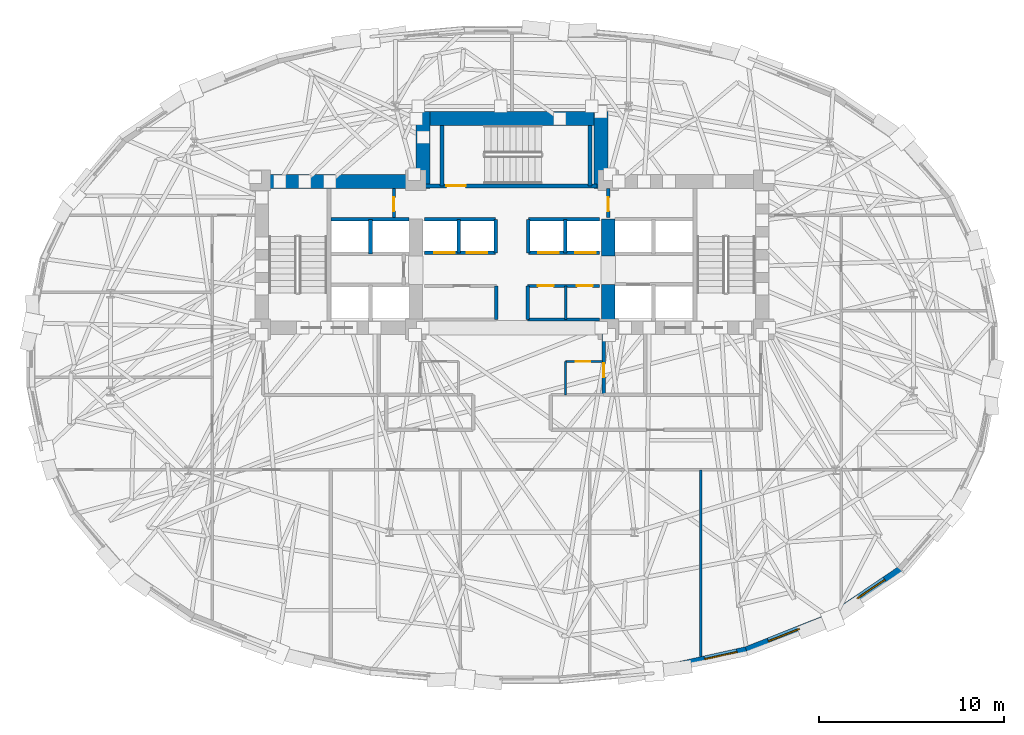
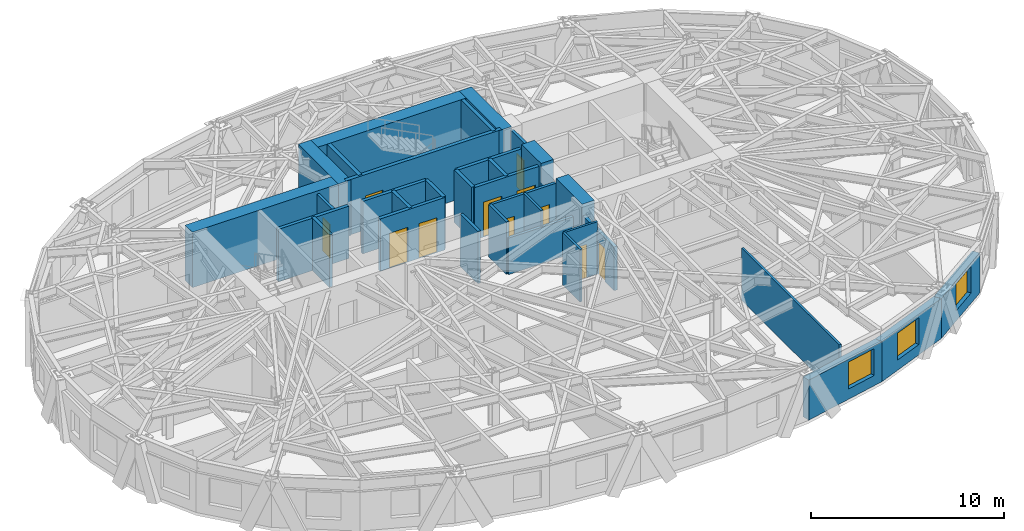
# One storey, part 8 of 14: 33 walls, 11 doors, 3 windows, 14 openings.
"""IFC4 building model written with IfcOpenShell, lengths in metres."""

from ifc_helpers import new_model, si_unit, direction, frame, frame_2d, origin, place, context, subcontext, project, spatial, rectangle, extrude, material, layer, layer_set, type_object, element, fill, save


model = new_model("IFC4")

# Units and contexts
model_context = context("Model", 3, precision=1e-05, world=origin(), true_north=direction((0.0, 1.0)))
body_context = subcontext(model_context, "Body", "Model", "MODEL_VIEW")
ifc_project = project(units=[si_unit("LENGTHUNIT", "METRE"), si_unit("AREAUNIT", "SQUARE_METRE"), si_unit("VOLUMEUNIT", "CUBIC_METRE"), si_unit("PLANEANGLEUNIT", "RADIAN"), si_unit("MASSUNIT", "GRAM", prefix="KILO")], contexts=[model_context])

# Site, building, storey
site_placement = place(None, origin())
site = spatial("IfcSite", under=ifc_project, at=site_placement, CompositionType="ELEMENT")
building_placement = place(site_placement, origin())
building = spatial("IfcBuilding", under=site, at=building_placement, Name="Keldmark Tower", CompositionType="ELEMENT")
storey_placement = place(building_placement, frame((0.0, 0.0, 121.10009765625)))
storey = spatial("IfcBuildingStorey", under=building, at=storey_placement, Name="L32", CompositionType="ELEMENT", Elevation=121.10009765625)

# Wall, opening, door
ifc_material_1 = material(Name="Acoustic Gypsum Board Interior Partition", Category="gypsum")
ifc_layer_1 = layer(ifc_material_1, 0.1298828125)
ifc_layer_set_1 = layer_set([ifc_layer_1], Name="Acoustic Gypsum Board Interior Partition")
wall_type_1 = type_object("IfcWallType", Name="Interior Partition 130 mm", PredefinedType="PARTITIONING", material=ifc_layer_set_1)
wall_1_placement = place(storey_placement, frame((2.889892578125, -0.35009765625, 0.0), z_axis=(0.0, 0.0, 1.0), x_axis=(1.0, 0.0, 0.0)))
wall_1 = element("IfcWall", 1, at=wall_1_placement, inside=storey, type_object=wall_type_1, Name="L32 Interior Partition 130 mm CSC-E-N", PredefinedType="PARTITIONING", context=body_context, shape_type="SweptSolid", body=[
    extrude(rectangle(XDim=1.989990234375, YDim=0.1298828125, at=frame_2d((0.9951171875, 0.0))), origin(), (0.0, 0.0, 1.0), 3.309814453125),
])
opening_1_placement = place(wall_1_placement, frame((0.550048828125, 0.0, 0.0)))
opening_1 = element("IfcOpeningElement", 2, at=opening_1_placement, cuts=wall_1, Name="Opening D-CL078", PredefinedType="OPENING", context=body_context, shape_type="SweptSolid", body=[
    extrude(rectangle(XDim=0.780029296875, YDim=2.10009765625, at=frame_2d((0.39013671875, 1.050048828125))), frame((0.0, 0.074951171875, 0.0), z_axis=(0.0, -1.0, 0.0), x_axis=(1.0, 0.0, 0.0)), (0.0, 0.0, 1.0), 0.14990234375),
])
ifc_material_2 = material(Name="Flush Utility Closet Timber Door", Category="wood")
door_type_1 = type_object("IfcDoorType", Name="Closet Door 780x2100", OperationType="NOTDEFINED", PredefinedType="DOOR", material=ifc_material_2)
door_1_placement = place(opening_1_placement, origin())
door_1 = element("IfcDoor", 3, at=door_1_placement, inside=storey, type_object=door_type_1, Name="L32 Closet Door 780x2100 D-CSCE1-L32", OperationType="SINGLE_SWING_RIGHT", OverallHeight=2.10009765625, OverallWidth=0.780029296875, PredefinedType="DOOR", context=body_context, shape_type="SweptSolid", body=[
    extrude(rectangle(XDim=0.780029296875, YDim=2.10009765625, at=frame_2d((0.39013671875, 1.050048828125))), frame((0.0, 0.02490234375, 0.0), z_axis=(0.0, -1.0, 0.0), x_axis=(1.0, 0.0, 0.0)), (0.0, 0.0, 1.0), 0.050048828125),
])
fill(opening_1, door_1)

# Walls
wall_2_placement = place(storey_placement, frame((2.889892578125, -2.14990234375, 0.0), z_axis=(0.0, 0.0, 1.0), x_axis=(0.0, 1.0, 0.0)))
element("IfcWall", 4, at=wall_2_placement, inside=storey, type_object=wall_type_1, Name="L32 Interior Partition 130 mm CSC-E-W", PredefinedType="PARTITIONING", context=body_context, shape_type="SweptSolid", body=[
    extrude(rectangle(XDim=1.7998046875, YDim=0.1298828125, at=frame_2d((0.89990234375, 0.0))), origin(), (0.0, 0.0, 1.0), 3.309814453125),
])
wall_3_placement = place(storey_placement, frame((2.89990234375, 1.919921875, 0.0), z_axis=(0.0, 0.0, 1.0), x_axis=(0.0, 1.0, 0.0)))
element("IfcWall", 5, at=wall_3_placement, inside=storey, type_object=wall_type_1, Name="L32 Interior Partition 130 mm REC-LE-M", PredefinedType="PARTITIONING", context=body_context, shape_type="SweptSolid", body=[
    extrude(rectangle(XDim=1.820068359375, YDim=0.1298828125, at=frame_2d((0.91015625, 0.0))), origin(), (0.0, 0.0, 1.0), 3.309814453125),
])
wall_4_placement = place(storey_placement, frame((10.199951171875, -16.291015625, 0.0), z_axis=(0.0, 0.0, 1.0), x_axis=(0.0, 1.0, 0.0)))
element("IfcWall", 6, at=wall_4_placement, inside=storey, type_object=wall_type_1, Name="L32 Interior Partition 130 mm S-DIV-4", PredefinedType="PARTITIONING", context=body_context, shape_type="SweptSolid", body=[
    extrude(rectangle(XDim=10.091064453125, YDim=0.1298828125, at=frame_2d((5.04541015625, 0.0))), origin(), (0.0, 0.0, 1.0), 3.309814453125),
])
ifc_material_3 = material(Name="Concrete C70/85", Category="concrete")
ifc_layer_2 = layer(ifc_material_3, 0.75)
ifc_layer_set_2 = layer_set([ifc_layer_2], Name="Concrete C70/85")
wall_type_2 = type_object("IfcWallType", Name="Low-Mid Core Shear Wall 750 mm", PredefinedType="SHEAR", material=ifc_layer_set_2)
wall_5_placement = place(storey_placement, frame((-13.89990234375, 9.375, 0.0), z_axis=(0.0, 0.0, 1.0), x_axis=(1.0, 0.0, 0.0)))
element("IfcWall", 7, at=wall_5_placement, inside=storey, type_object=wall_type_2, Name="L32 West Core North Shear Wall", PredefinedType="SHEAR", context=body_context, shape_type="SweptSolid", body=[
    extrude(rectangle(XDim=9.474853515625, YDim=0.75, at=frame_2d((4.7373046875, 0.0))), origin(), (0.0, 0.0, 1.0), 3.5),
])
wall_6_placement = place(storey_placement, frame((5.199951171875, 1.10009765625, 0.0), z_axis=(0.0, 0.0, 1.0), x_axis=(0.0, 1.0, 0.0)))
element("IfcWall", 8, at=wall_6_placement, inside=storey, type_object=wall_type_2, Name="L32 East Core Inner Shear Pier South", PredefinedType="SHEAR", context=body_context, shape_type="SweptSolid", body=[
    extrude(rectangle(XDim=2.699951171875, YDim=0.75, at=frame_2d((1.35009765625, 0.0))), origin(), (0.0, 0.0, 1.0), 3.5),
])
wall_7_placement = place(storey_placement, frame((5.199951171875, 5.35009765625, 0.0), z_axis=(0.0, 0.0, 1.0), x_axis=(0.0, 1.0, 0.0)))
element("IfcWall", 9, at=wall_7_placement, inside=storey, type_object=wall_type_2, Name="L32 East Core Inner Shear Pier North", PredefinedType="SHEAR", context=body_context, shape_type="SweptSolid", body=[
    extrude(rectangle(XDim=2.0, YDim=0.75, at=frame_2d((1.0, 0.0))), origin(), (0.0, 0.0, 1.0), 3.5),
])
wall_8_placement = place(storey_placement, frame((-5.175048828125, 12.77490234375, 0.0), z_axis=(0.0, 0.0, 1.0), x_axis=(1.0, 0.0, 0.0)))
element("IfcWall", 10, at=wall_8_placement, inside=storey, type_object=wall_type_2, Name="L32 North Core Shear Wall", PredefinedType="SHEAR", context=body_context, shape_type="SweptSolid", body=[
    extrude(rectangle(XDim=10.35009765625, YDim=0.75, at=frame_2d((5.175048828125, 0.0))), origin(), (0.0, 0.0, 1.0), 3.5),
])
for number, where, z_axis, x_axis, name in (
    (11, (-4.800048828125, 9.0, 0.0), (0.0, 0.0, 1.0), (0.0, 1.0, 0.0), "L32 North Core West Shear Wall"),
    (12, (4.800048828125, 9.0, 0.0), (0.0, 0.0, 1.0), (0.0, 1.0, 0.0), "L32 North Core East Shear Wall"),
):
    element("IfcWall", number, at=place(storey_placement, frame(where, z_axis=z_axis, x_axis=x_axis)), inside=storey, type_object=wall_type_2, Name=name, PredefinedType="SHEAR", context=body_context, shape_type="SweptSolid", body=[
        extrude(rectangle(XDim=4.14990234375, YDim=0.75, at=frame_2d((2.074951171875, 0.0))), origin(), (0.0, 0.0, 1.0), 3.5),
    ])
ifc_material_4 = material(Name="Type X Fire-Rated Gypsum Partition Assembly", Category="gypsum")
ifc_layer_3 = layer(ifc_material_4, 0.1650390625)
ifc_layer_set_3 = layer_set([ifc_layer_3], Name="Type X Fire-Rated Gypsum Partition Assembly")
wall_type_3 = type_object("IfcWallType", Name="Rated Partition 165 mm", PredefinedType="PARTITIONING", material=ifc_layer_set_3)
wall_9_placement = place(storey_placement, frame((-0.85009765625, 1.919921875, 0.0), z_axis=(0.0, 0.0, 1.0), x_axis=(0.0, 1.0, 0.0)))
element("IfcWall", 13, at=wall_9_placement, inside=storey, type_object=wall_type_3, Name="L32 Rated Partition 165 mm REC-LW-E", PredefinedType="PARTITIONING", context=body_context, shape_type="SweptSolid", body=[
    extrude(rectangle(XDim=1.820068359375, YDim=0.1650390625, at=frame_2d((0.91015625, 0.0))), origin(), (0.0, 0.0, 1.0), 3.309814453125),
])
wall_10_placement = place(storey_placement, frame((0.85009765625, 1.919921875, 0.0), z_axis=(0.0, 0.0, 1.0), x_axis=(1.0, 0.0, 0.0)))
element("IfcWall", 14, at=wall_10_placement, inside=storey, type_object=wall_type_3, Name="L32 Rated Partition 165 mm REC-LE-S", PredefinedType="PARTITIONING", context=body_context, shape_type="SweptSolid", body=[
    extrude(rectangle(XDim=3.889892578125, YDim=0.1650390625, at=frame_2d((1.94482421875, 0.0))), origin(), (0.0, 0.0, 1.0), 2.2998046875),
])

# Wall, openings, doors
wall_11_placement = place(storey_placement, frame((0.85009765625, 3.739990234375, 0.0), z_axis=(0.0, 0.0, 1.0), x_axis=(1.0, 0.0, 0.0)))
wall_11 = element("IfcWall", 15, at=wall_11_placement, inside=storey, type_object=wall_type_3, Name="L32 Rated Partition 165 mm REC-LE-N", PredefinedType="PARTITIONING", context=body_context, shape_type="SweptSolid", body=[
    extrude(rectangle(XDim=3.889892578125, YDim=0.1650390625, at=frame_2d((1.94482421875, 0.0))), origin(), (0.0, 0.0, 1.0), 3.309814453125),
])
opening_2_placement = place(wall_11_placement, frame((0.550048828125, 0.0, 0.0)))
opening_2 = element("IfcOpeningElement", 16, at=opening_2_placement, cuts=wall_11, Name="Opening D-SV085", PredefinedType="OPENING", context=body_context, shape_type="SweptSolid", body=[
    extrude(rectangle(XDim=0.85009765625, YDim=2.10009765625, at=frame_2d((0.425048828125, 1.050048828125))), frame((0.0, 0.092529296875, 0.0), z_axis=(0.0, -1.0, 0.0), x_axis=(1.0, 0.0, 0.0)), (0.0, 0.0, 1.0), 0.18505859375),
])
opening_3_placement = place(wall_11_placement, frame((2.64990234375, 0.0, 0.0)))
opening_3 = element("IfcOpeningElement", 17, at=opening_3_placement, cuts=wall_11, Name="Opening D-SV085", PredefinedType="OPENING", context=body_context, shape_type="SweptSolid", body=[
    extrude(rectangle(XDim=0.85009765625, YDim=2.10009765625, at=frame_2d((0.425048828125, 1.050048828125))), frame((0.0, 0.092529296875, 0.0), z_axis=(0.0, -1.0, 0.0), x_axis=(1.0, 0.0, 0.0)), (0.0, 0.0, 1.0), 0.18505859375),
])
ifc_material_5 = material(Name="Painted Hollow Metal Door Assembly", Category="metal")
door_type_2 = type_object("IfcDoorType", Name="Service Door 850x2100", OperationType="NOTDEFINED", PredefinedType="DOOR", material=ifc_material_5)
door_2_placement = place(opening_2_placement, origin())
door_2 = element("IfcDoor", 18, at=door_2_placement, inside=storey, type_object=door_type_2, Name="L32 Service Door 850x2100 D-RECLE1-L32", OperationType="SINGLE_SWING_LEFT", OverallHeight=2.10009765625, OverallWidth=0.85009765625, PredefinedType="DOOR", context=body_context, shape_type="SweptSolid", body=[
    extrude(rectangle(XDim=0.85009765625, YDim=2.10009765625, at=frame_2d((0.425048828125, 1.050048828125))), frame((0.0, 0.02490234375, 0.0), z_axis=(0.0, -1.0, 0.0), x_axis=(1.0, 0.0, 0.0)), (0.0, 0.0, 1.0), 0.050048828125),
])
fill(opening_2, door_2)
door_3_placement = place(opening_3_placement, origin())
door_3 = element("IfcDoor", 19, at=door_3_placement, inside=storey, type_object=door_type_2, Name="L32 Service Door 850x2100 D-RECLE2-L32", OperationType="SINGLE_SWING_RIGHT", OverallHeight=2.10009765625, OverallWidth=0.85009765625, PredefinedType="DOOR", context=body_context, shape_type="SweptSolid", body=[
    extrude(rectangle(XDim=0.85009765625, YDim=2.10009765625, at=frame_2d((0.425048828125, 1.050048828125))), frame((0.0, 0.02490234375, 0.0), z_axis=(0.0, -1.0, 0.0), x_axis=(1.0, 0.0, 0.0)), (0.0, 0.0, 1.0), 0.050048828125),
])
fill(opening_3, door_3)

# Wall
wall_12_placement = place(storey_placement, frame((0.85009765625, 1.919921875, 0.0), z_axis=(0.0, 0.0, 1.0), x_axis=(0.0, 1.0, 0.0)))
element("IfcWall", 20, at=wall_12_placement, inside=storey, type_object=wall_type_3, Name="L32 Rated Partition 165 mm REC-LE-W", PredefinedType="PARTITIONING", context=body_context, shape_type="SweptSolid", body=[
    extrude(rectangle(XDim=1.820068359375, YDim=0.1650390625, at=frame_2d((0.91015625, 0.0))), origin(), (0.0, 0.0, 1.0), 3.309814453125),
])

# Wall, opening, door
wall_13_placement = place(storey_placement, frame((-6.3798828125, 7.419921875, 0.0), z_axis=(0.0, 0.0, 1.0), x_axis=(0.0, 1.0, 0.0)))
wall_13 = element("IfcWall", 21, at=wall_13_placement, inside=storey, type_object=wall_type_3, Name="L32 Rated Partition 165 mm CS-NW-E", PredefinedType="PARTITIONING", context=body_context, shape_type="SweptSolid", body=[
    extrude(rectangle(XDim=1.580078125, YDim=0.1650390625, at=frame_2d((0.7900390625, 0.0))), origin(), (0.0, 0.0, 1.0), 3.309814453125),
])
opening_4_placement = place(wall_13_placement, frame((0.35009765625, 0.0, 0.0)))
opening_4 = element("IfcOpeningElement", 22, at=opening_4_placement, cuts=wall_13, Name="Opening D-RS075", PredefinedType="OPENING", context=body_context, shape_type="SweptSolid", body=[
    extrude(rectangle(XDim=0.75, YDim=2.10009765625, at=frame_2d((0.375, 1.050048828125))), frame((0.0, 0.092529296875, 0.0), z_axis=(0.0, -1.0, 0.0), x_axis=(1.0, 0.0, 0.0)), (0.0, 0.0, 1.0), 0.18505859375),
])
ifc_material_6 = material(Name="Galvanized Fire-Rated Access Leaf", Category="metal")
door_type_3 = type_object("IfcDoorType", Name="Riser Access Door 750x2100", OperationType="NOTDEFINED", PredefinedType="DOOR", material=ifc_material_6)
door_4_placement = place(opening_4_placement, origin())
door_4 = element("IfcDoor", 23, at=door_4_placement, inside=storey, type_object=door_type_3, Name="L32 Riser Access Door 750x2100 D-CSNW1-L32", OperationType="SINGLE_SWING_RIGHT", OverallHeight=2.10009765625, OverallWidth=0.75, PredefinedType="DOOR", context=body_context, shape_type="SweptSolid", body=[
    extrude(rectangle(XDim=0.75, YDim=2.10009765625, at=frame_2d((0.375, 1.050048828125))), frame((0.0, 0.02490234375, 0.0), z_axis=(0.0, -1.0, 0.0), x_axis=(1.0, 0.0, 0.0)), (0.0, 0.0, 1.0), 0.050048828125),
])
fill(opening_4, door_4)

wall_14_placement = place(storey_placement, frame((5.199951171875, 7.419921875, 0.0), z_axis=(0.0, 0.0, 1.0), x_axis=(0.0, 1.0, 0.0)))
wall_14 = element("IfcWall", 24, at=wall_14_placement, inside=storey, type_object=wall_type_3, Name="L32 Rated Partition 165 mm CS-NE-W", PredefinedType="PARTITIONING", context=body_context, shape_type="SweptSolid", body=[
    extrude(rectangle(XDim=1.580078125, YDim=0.1650390625, at=frame_2d((0.7900390625, 0.0))), origin(), (0.0, 0.0, 1.0), 3.309814453125),
])
opening_5_placement = place(wall_14_placement, frame((0.35009765625, 0.0, 0.0)))
opening_5 = element("IfcOpeningElement", 25, at=opening_5_placement, cuts=wall_14, Name="Opening D-RS075", PredefinedType="OPENING", context=body_context, shape_type="SweptSolid", body=[
    extrude(rectangle(XDim=0.75, YDim=2.10009765625, at=frame_2d((0.375, 1.050048828125))), frame((0.0, 0.092529296875, 0.0), z_axis=(0.0, -1.0, 0.0), x_axis=(1.0, 0.0, 0.0)), (0.0, 0.0, 1.0), 0.18505859375),
])
door_5_placement = place(opening_5_placement, origin())
door_5 = element("IfcDoor", 26, at=door_5_placement, inside=storey, type_object=door_type_3, Name="L32 Riser Access Door 750x2100 D-CSNE1-L32", OperationType="SINGLE_SWING_LEFT", OverallHeight=2.10009765625, OverallWidth=0.75, PredefinedType="DOOR", context=body_context, shape_type="SweptSolid", body=[
    extrude(rectangle(XDim=0.75, YDim=2.10009765625, at=frame_2d((0.375, 1.050048828125))), frame((0.0, 0.02490234375, 0.0), z_axis=(0.0, -1.0, 0.0), x_axis=(1.0, 0.0, 0.0)), (0.0, 0.0, 1.0), 0.050048828125),
])
fill(opening_5, door_5)

ifc_material_7 = material(Name="Fire-Resistant Type X Gypsum Shaftliner Coreboard", Category="gypsum")
ifc_layer_4 = layer(ifc_material_7, 0.199951171875)
ifc_layer_set_4 = layer_set([ifc_layer_4], Name="Fire-Resistant Type X Gypsum Shaftliner Coreboard")
wall_type_4 = type_object("IfcWallType", Name="Shaft Wall 200 mm", PredefinedType="SOLIDWALL", material=ifc_layer_set_4)
wall_15_placement = place(storey_placement, frame((4.949951171875, -2.14990234375, 0.0), z_axis=(0.0, 0.0, 1.0), x_axis=(0.0, 1.0, 0.0)))
wall_15 = element("IfcWall", 27, at=wall_15_placement, inside=storey, type_object=wall_type_4, Name="L32 Shaft Wall 200 mm RIS-SE-W", PredefinedType="SOLIDWALL", context=body_context, shape_type="SweptSolid", body=[
    extrude(rectangle(XDim=3.2998046875, YDim=0.199951171875, at=frame_2d((1.64990234375, 0.0))), origin(), (0.0, 0.0, 1.0), 2.762939453125),
])
opening_6_placement = place(wall_15_placement, frame((0.949951171875, 0.0, 0.0)))
opening_6 = element("IfcOpeningElement", 28, at=opening_6_placement, cuts=wall_15, Name="Opening D-RS075", PredefinedType="OPENING", context=body_context, shape_type="SweptSolid", body=[
    extrude(rectangle(XDim=0.75, YDim=2.10009765625, at=frame_2d((0.375, 1.050048828125))), frame((0.0, 0.10986328125, 0.0), z_axis=(0.0, -1.0, 0.0), x_axis=(1.0, 0.0, 0.0)), (0.0, 0.0, 1.0), 0.219970703125),
])
door_6_placement = place(opening_6_placement, origin())
door_6 = element("IfcDoor", 29, at=door_6_placement, inside=storey, type_object=door_type_3, Name="L32 Riser Access Door 750x2100 D-RISSE-L32", OperationType="SINGLE_SWING_LEFT", OverallHeight=2.10009765625, OverallWidth=0.75, PredefinedType="DOOR", context=body_context, shape_type="SweptSolid", body=[
    extrude(rectangle(XDim=0.75, YDim=2.10009765625, at=frame_2d((0.375, 1.050048828125))), frame((0.0, 0.02490234375, 0.0), z_axis=(0.0, -1.0, 0.0), x_axis=(1.0, 0.0, 0.0)), (0.0, 0.0, 1.0), 0.050048828125),
])
fill(opening_6, door_6)

# Walls
wall_16_placement = place(storey_placement, frame((-9.780029296875, 7.330078125, 0.0), z_axis=(0.0, 0.0, 1.0), x_axis=(1.0, 0.0, 0.0)))
element("IfcWall", 30, at=wall_16_placement, inside=storey, type_object=wall_type_4, Name="L32 Shaft Wall 200 mm HW-W-TOP", PredefinedType="SOLIDWALL", context=body_context, shape_type="SweptSolid", body=[
    extrude(rectangle(XDim=4.205078125, YDim=0.199951171875, at=frame_2d((2.1025390625, 0.0))), origin(), (0.0, 0.0, 1.0), 3.309814453125),
])
wall_17_placement = place(storey_placement, frame((-7.64990234375, 5.469970703125, 0.0), z_axis=(0.0, 0.0, 1.0), x_axis=(0.0, 1.0, 0.0)))
element("IfcWall", 31, at=wall_17_placement, inside=storey, type_object=wall_type_4, Name="L32 Shaft Wall 200 mm HW-W-NM", PredefinedType="SOLIDWALL", context=body_context, shape_type="SweptSolid", body=[
    extrude(rectangle(XDim=1.860107421875, YDim=0.199951171875, at=frame_2d((0.93017578125, 0.0))), origin(), (0.0, 0.0, 1.0), 3.309814453125),
])

# Wall, openings, doors
wall_18_placement = place(storey_placement, frame((-4.739990234375, 5.52001953125, 0.0), z_axis=(0.0, 0.0, 1.0), x_axis=(1.0, 0.0, 0.0)))
wall_18 = element("IfcWall", 32, at=wall_18_placement, inside=storey, type_object=wall_type_4, Name="L32 Shaft Wall 200 mm MID-S-W", PredefinedType="SOLIDWALL", context=body_context, shape_type="SweptSolid", body=[
    extrude(rectangle(XDim=3.860107421875, YDim=0.199951171875, at=frame_2d((1.93017578125, 0.0))), origin(), (0.0, 0.0, 1.0), 3.309814453125),
])
opening_7_placement = place(wall_18_placement, frame((0.550048828125, 0.0, 0.0)))
opening_7 = element("IfcOpeningElement", 33, at=opening_7_placement, cuts=wall_18, Name="Opening LD-110", PredefinedType="OPENING", context=body_context, shape_type="SweptSolid", body=[
    extrude(rectangle(XDim=1.10009765625, YDim=2.199951171875, at=frame_2d((0.550048828125, 1.10009765625))), frame((0.0, 0.10986328125, 0.0), z_axis=(0.0, -1.0, 0.0), x_axis=(1.0, 0.0, 0.0)), (0.0, 0.0, 1.0), 0.219970703125),
])
opening_8_placement = place(wall_18_placement, frame((2.300048828125, 0.0, 0.0)))
opening_8 = element("IfcOpeningElement", 34, at=opening_8_placement, cuts=wall_18, Name="Opening LD-110", PredefinedType="OPENING", context=body_context, shape_type="SweptSolid", body=[
    extrude(rectangle(XDim=1.10009765625, YDim=2.199951171875, at=frame_2d((0.550048828125, 1.10009765625))), frame((0.0, 0.10986328125, 0.0), z_axis=(0.0, -1.0, 0.0), x_axis=(1.0, 0.0, 0.0)), (0.0, 0.0, 1.0), 0.219970703125),
])
ifc_material_8 = material(Name="Brushed Bronze Hoistway Sliding Leaf", Category="metal")
door_type_4 = type_object("IfcDoorType", Name="Lift Landing Sliding Door 1100x2200", OperationType="SLIDING_TO_LEFT", PredefinedType="DOOR", material=ifc_material_8)
door_7_placement = place(opening_7_placement, origin())
door_7 = element("IfcDoor", 35, at=door_7_placement, inside=storey, type_object=door_type_4, Name="L32 Lift Landing Sliding Door 1100x2200 LD-EL-M1-L32", OperationType="SLIDING_TO_LEFT", OverallHeight=2.199951171875, OverallWidth=1.10009765625, PredefinedType="DOOR", context=body_context, shape_type="SweptSolid", body=[
    extrude(rectangle(XDim=1.10009765625, YDim=2.199951171875, at=frame_2d((0.550048828125, 1.10009765625))), frame((0.0, 0.02490234375, 0.0), z_axis=(0.0, -1.0, 0.0), x_axis=(1.0, 0.0, 0.0)), (0.0, 0.0, 1.0), 0.050048828125),
])
fill(opening_7, door_7)
door_8_placement = place(opening_8_placement, origin())
door_8 = element("IfcDoor", 36, at=door_8_placement, inside=storey, type_object=door_type_4, Name="L32 Lift Landing Sliding Door 1100x2200 LD-EL-M2-L32", OperationType="SLIDING_TO_LEFT", OverallHeight=2.199951171875, OverallWidth=1.10009765625, PredefinedType="DOOR", context=body_context, shape_type="SweptSolid", body=[
    extrude(rectangle(XDim=1.10009765625, YDim=2.199951171875, at=frame_2d((0.550048828125, 1.10009765625))), frame((0.0, 0.02490234375, 0.0), z_axis=(0.0, -1.0, 0.0), x_axis=(1.0, 0.0, 0.0)), (0.0, 0.0, 1.0), 0.050048828125),
])
fill(opening_8, door_8)

wall_19_placement = place(storey_placement, frame((0.8798828125, 5.52001953125, 0.0), z_axis=(0.0, 0.0, 1.0), x_axis=(1.0, 0.0, 0.0)))
wall_19 = element("IfcWall", 37, at=wall_19_placement, inside=storey, type_object=wall_type_4, Name="L32 Shaft Wall 200 mm MID-S-E", PredefinedType="SOLIDWALL", context=body_context, shape_type="SweptSolid", body=[
    extrude(rectangle(XDim=3.860107421875, YDim=0.199951171875, at=frame_2d((1.93017578125, 0.0))), origin(), (0.0, 0.0, 1.0), 3.309814453125),
])
opening_9_placement = place(wall_19_placement, frame((0.550048828125, 0.0, 0.0)))
opening_9 = element("IfcOpeningElement", 38, at=opening_9_placement, cuts=wall_19, Name="Opening LD-110", PredefinedType="OPENING", context=body_context, shape_type="SweptSolid", body=[
    extrude(rectangle(XDim=1.10009765625, YDim=2.199951171875, at=frame_2d((0.550048828125, 1.10009765625))), frame((0.0, 0.10986328125, 0.0), z_axis=(0.0, -1.0, 0.0), x_axis=(1.0, 0.0, 0.0)), (0.0, 0.0, 1.0), 0.219970703125),
])
opening_10_placement = place(wall_19_placement, frame((2.550048828125, 0.0, 0.0)))
opening_10 = element("IfcOpeningElement", 39, at=opening_10_placement, cuts=wall_19, Name="Opening LD-110", PredefinedType="OPENING", context=body_context, shape_type="SweptSolid", body=[
    extrude(rectangle(XDim=1.10009765625, YDim=2.199951171875, at=frame_2d((0.550048828125, 1.10009765625))), frame((0.0, 0.10986328125, 0.0), z_axis=(0.0, -1.0, 0.0), x_axis=(1.0, 0.0, 0.0)), (0.0, 0.0, 1.0), 0.219970703125),
])
door_9_placement = place(opening_9_placement, origin())
door_9 = element("IfcDoor", 40, at=door_9_placement, inside=storey, type_object=door_type_4, Name="L32 Lift Landing Sliding Door 1100x2200 LD-EL-M3-L32", OperationType="SLIDING_TO_LEFT", OverallHeight=2.199951171875, OverallWidth=1.10009765625, PredefinedType="DOOR", context=body_context, shape_type="SweptSolid", body=[
    extrude(rectangle(XDim=1.10009765625, YDim=2.199951171875, at=frame_2d((0.550048828125, 1.10009765625))), frame((0.0, 0.02490234375, 0.0), z_axis=(0.0, -1.0, 0.0), x_axis=(1.0, 0.0, 0.0)), (0.0, 0.0, 1.0), 0.050048828125),
])
fill(opening_9, door_9)
door_10_placement = place(opening_10_placement, origin())
door_10 = element("IfcDoor", 41, at=door_10_placement, inside=storey, type_object=door_type_4, Name="L32 Lift Landing Sliding Door 1100x2200 LD-EL-M4-L32", OperationType="SLIDING_TO_LEFT", OverallHeight=2.199951171875, OverallWidth=1.10009765625, PredefinedType="DOOR", context=body_context, shape_type="SweptSolid", body=[
    extrude(rectangle(XDim=1.10009765625, YDim=2.199951171875, at=frame_2d((0.550048828125, 1.10009765625))), frame((0.0, 0.02490234375, 0.0), z_axis=(0.0, -1.0, 0.0), x_axis=(1.0, 0.0, 0.0)), (0.0, 0.0, 1.0), 0.050048828125),
])
fill(opening_10, door_10)

# Walls
for number, where, z_axis, x_axis, name in (
    (42, (-4.739990234375, 7.330078125, 0.0), (0.0, 0.0, 1.0), (1.0, 0.0, 0.0), "L32 Shaft Wall 200 mm MID-N-W"),
    (43, (0.8798828125, 7.330078125, 0.0), (0.0, 0.0, 1.0), (1.0, 0.0, 0.0), "L32 Shaft Wall 200 mm MID-N-E"),
):
    element("IfcWall", number, at=place(storey_placement, frame(where, z_axis=z_axis, x_axis=x_axis)), inside=storey, type_object=wall_type_4, Name=name, PredefinedType="SOLIDWALL", context=body_context, shape_type="SweptSolid", body=[
        extrude(rectangle(XDim=3.860107421875, YDim=0.199951171875, at=frame_2d((1.93017578125, 0.0))), origin(), (0.0, 0.0, 1.0), 3.309814453125),
    ])
for number, where, z_axis, x_axis, name in (
    (44, (-2.8798828125, 5.52001953125, 0.0), (0.0, 0.0, 1.0), (0.0, 1.0, 0.0), "L32 Shaft Wall 200 mm MID-M-W"),
    (45, (2.8798828125, 5.52001953125, 0.0), (0.0, 0.0, 1.0), (0.0, 1.0, 0.0), "L32 Shaft Wall 200 mm MID-M-E"),
    (46, (-0.8798828125, 5.52001953125, 0.0), (0.0, 0.0, 1.0), (0.0, 1.0, 0.0), "L32 Shaft Wall 200 mm MID-C-W"),
    (47, (0.8798828125, 5.52001953125, 0.0), (0.0, 0.0, 1.0), (0.0, 1.0, 0.0), "L32 Shaft Wall 200 mm MID-C-E"),
):
    element("IfcWall", number, at=place(storey_placement, frame(where, z_axis=z_axis, x_axis=x_axis)), inside=storey, type_object=wall_type_4, Name=name, PredefinedType="SOLIDWALL", context=body_context, shape_type="SweptSolid", body=[
        extrude(rectangle(XDim=1.81005859375, YDim=0.199951171875, at=frame_2d((0.905029296875, 0.0))), origin(), (0.0, 0.0, 1.0), 3.309814453125),
    ])

# Wall, opening, door
ifc_material_9 = material(Name="Concrete C50/60", Category="concrete")
ifc_layer_5 = layer(ifc_material_9, 0.219970703125)
ifc_layer_set_5 = layer_set([ifc_layer_5], Name="Concrete C50/60")
wall_type_5 = type_object("IfcWallType", Name="Stair Core Shear Wall 220 mm", PredefinedType="SHEAR", material=ifc_layer_set_5)
wall_20_placement = place(storey_placement, frame((-4.699951171875, 9.139892578125, 0.0), z_axis=(0.0, 0.0, 1.0), x_axis=(1.0, 0.0, 0.0)))
wall_20 = element("IfcWall", 48, at=wall_20_placement, inside=storey, type_object=wall_type_5, Name="L32 Central Stair Core South Shear Wall", PredefinedType="SHEAR", context=body_context, shape_type="SweptSolid", body=[
    extrude(rectangle(XDim=9.300048828125, YDim=0.219970703125, at=frame_2d((4.64990234375, 0.0))), origin(), (0.0, 0.0, 1.0), 3.5),
])
opening_11_placement = place(wall_20_placement, frame((1.14990234375, 0.0, 0.0)))
opening_11 = element("IfcOpeningElement", 49, at=opening_11_placement, cuts=wall_20, Name="Opening D-ST105", PredefinedType="OPENING", context=body_context, shape_type="SweptSolid", body=[
    extrude(rectangle(XDim=1.050048828125, YDim=2.14990234375, at=frame_2d((0.52490234375, 1.074951171875))), frame((0.0, 0.119873046875, 0.0), z_axis=(0.0, -1.0, 0.0), x_axis=(1.0, 0.0, 0.0)), (0.0, 0.0, 1.0), 0.239990234375),
])
ifc_material_10 = material(Name="Hollow Metal Fire-Rated Door Assembly", Category="metal")
door_type_5 = type_object("IfcDoorType", Name="Stair Fire Door 1050x2150", OperationType="NOTDEFINED", PredefinedType="DOOR", material=ifc_material_10)
door_11_placement = place(opening_11_placement, origin())
door_11 = element("IfcDoor", 50, at=door_11_placement, inside=storey, type_object=door_type_5, Name="L32 Stair Fire Door 1050x2150 D-ST3-L32", OperationType="SINGLE_SWING_RIGHT", OverallHeight=2.14990234375, OverallWidth=1.050048828125, PredefinedType="DOOR", context=body_context, shape_type="SweptSolid", body=[
    extrude(rectangle(XDim=1.050048828125, YDim=2.14990234375, at=frame_2d((0.52490234375, 1.074951171875))), frame((0.0, 0.02490234375, 0.0), z_axis=(0.0, -1.0, 0.0), x_axis=(1.0, 0.0, 0.0)), (0.0, 0.0, 1.0), 0.050048828125),
])
fill(opening_11, door_11)

# Walls
for number, where, z_axis, x_axis, name in (
    (51, (-3.784912109375, 9.139892578125, 0.0), (0.0, 0.0, 1.0), (0.0, 1.0, 0.0), "L32 Central Stair Core West Shear Wall"),
    (52, (4.215087890625, 9.139892578125, 0.0), (0.0, 0.0, 1.0), (0.0, 1.0, 0.0), "L32 Central Stair Core East Shear Wall"),
):
    element("IfcWall", number, at=place(storey_placement, frame(where, z_axis=z_axis, x_axis=x_axis)), inside=storey, type_object=wall_type_5, Name=name, PredefinedType="SHEAR", context=body_context, shape_type="SweptSolid", body=[
        extrude(rectangle(XDim=3.260009765625, YDim=0.219970703125, at=frame_2d((1.6298828125, 0.0))), origin(), (0.0, 0.0, 1.0), 3.5),
    ])

# Wall, opening, window
ifc_material_11 = material(Name="Ironspot Manganese Brick and Kasota Buff Limestone Spandrel Assembly", Category="masonry")
ifc_layer_6 = layer(ifc_material_11, 0.43994140625)
ifc_layer_set_6 = layer_set([ifc_layer_6], Name="Ironspot Manganese Brick and Kasota Buff Limestone Spandrel Assembly")
wall_type_6 = type_object("IfcWallType", Name="Tower Brick Pier and Spandrel Wall 440 mm", PredefinedType="STANDARD", material=ifc_layer_set_6)
wall_21_placement = place(storey_placement, frame((12.70849609375, -15.965576171875, 0.0), z_axis=(0.0, 0.0, 1.0), x_axis=(-0.976058355685, -0.217508818896, 0.0)))
wall_21 = element("IfcWall", 53, at=wall_21_placement, inside=storey, type_object=wall_type_6, Name="L32 Exterior Brick and Spandrel Wall 26", PredefinedType="STANDARD", context=body_context, shape_type="SweptSolid", body=[
    extrude(rectangle(XDim=5.1396484375, YDim=0.43994140625, at=frame_2d((2.56982421875, 0.0))), origin(), (0.0, 0.0, 1.0), 2.52783203125),
])
opening_12_placement = place(wall_21_placement, frame((0.548828125, 0.0, 0.64990234375)))
opening_12 = element("IfcOpeningElement", 54, at=opening_12_placement, cuts=wall_21, Name="Opening W-02", PredefinedType="OPENING", context=body_context, shape_type="SweptSolid", body=[
    extrude(rectangle(XDim=1.800048828125, YDim=1.699951171875, at=frame_2d((0.89990234375, 0.85009765625))), frame((0.0, 0.22998046875, 0.0), z_axis=(0.0, -1.0, 0.0), x_axis=(1.0, 0.0, 0.0)), (0.0, 0.0, 1.0), 0.4599609375),
])
ifc_material_12 = material(Name="Thermally Broken Anodized Aluminum and Triple Low-E Argon Glazing", Category="aluminium")
window_type = type_object("IfcWindowType", Name="Office Deep-Set Triple Window 1800x1700", PartitioningType="TRIPLE_PANEL_VERTICAL", PredefinedType="WINDOW", material=ifc_material_12)
window_1_placement = place(opening_12_placement, origin())
window_1 = element("IfcWindow", 55, at=window_1_placement, inside=storey, type_object=window_type, Name="L32 Deep-Set Window 26", OverallHeight=1.699951171875, OverallWidth=1.800048828125, PartitioningType="SINGLE_PANEL", PredefinedType="WINDOW", context=body_context, shape_type="SweptSolid", body=[
    extrude(rectangle(XDim=1.800048828125, YDim=1.699951171875, at=frame_2d((0.89990234375, 0.85009765625))), frame((0.0, -0.010009765625, 0.0), z_axis=(0.0, -1.0, 0.0), x_axis=(1.0, 0.0, 0.0)), (0.0, 0.0, 1.0), 0.06005859375),
])
fill(opening_12, window_1)

wall_22_placement = place(storey_placement, frame((17.28369140625, -14.14111328125, 0.0), z_axis=(0.0, 0.0, 1.0), x_axis=(-0.929089765506, -0.369854305953, 0.0)))
wall_22 = element("IfcWall", 56, at=wall_22_placement, inside=storey, type_object=wall_type_6, Name="L32 Exterior Brick and Spandrel Wall 27", PredefinedType="STANDARD", context=body_context, shape_type="SweptSolid", body=[
    extrude(rectangle(XDim=4.960693359375, YDim=0.43994140625, at=frame_2d((2.48046875, 0.0))), origin(), (0.0, 0.0, 1.0), 2.52783203125),
])
opening_13_placement = place(wall_22_placement, frame((1.8759765625, 0.0, 0.64990234375)))
opening_13 = element("IfcOpeningElement", 57, at=opening_13_placement, cuts=wall_22, Name="Opening W-02", PredefinedType="OPENING", context=body_context, shape_type="SweptSolid", body=[
    extrude(rectangle(XDim=1.800048828125, YDim=1.699951171875, at=frame_2d((0.89990234375, 0.85009765625))), frame((0.0, 0.22998046875, 0.0), z_axis=(0.0, -1.0, 0.0), x_axis=(1.0, 0.0, 0.0)), (0.0, 0.0, 1.0), 0.4599609375),
])
window_2_placement = place(opening_13_placement, origin())
window_2 = element("IfcWindow", 58, at=window_2_placement, inside=storey, type_object=window_type, Name="L32 Deep-Set Window 27", OverallHeight=1.699951171875, OverallWidth=1.800048828125, PartitioningType="SINGLE_PANEL", PredefinedType="WINDOW", context=body_context, shape_type="SweptSolid", body=[
    extrude(rectangle(XDim=1.800048828125, YDim=1.699951171875, at=frame_2d((0.89990234375, 0.85009765625))), frame((0.0, -0.010009765625, 0.0), z_axis=(0.0, -1.0, 0.0), x_axis=(1.0, 0.0, 0.0)), (0.0, 0.0, 1.0), 0.06005859375),
])
fill(opening_13, window_2)

wall_23_placement = place(storey_placement, frame((21.035888671875, -11.591064453125, 0.0), z_axis=(0.0, 0.0, 1.0), x_axis=(-0.827707240431, -0.56116015908, 0.0)))
wall_23 = element("IfcWall", 59, at=wall_23_placement, inside=storey, type_object=wall_type_6, Name="L32 Exterior Brick and Spandrel Wall 28", PredefinedType="STANDARD", context=body_context, shape_type="SweptSolid", body=[
    extrude(rectangle(XDim=4.584228515625, YDim=0.43994140625, at=frame_2d((2.2919921875, 0.0))), origin(), (0.0, 0.0, 1.0), 2.52783203125),
])
opening_14_placement = place(wall_23_placement, frame((1.04443359375, 0.0, 0.64990234375)))
opening_14 = element("IfcOpeningElement", 60, at=opening_14_placement, cuts=wall_23, Name="Opening W-02", PredefinedType="OPENING", context=body_context, shape_type="SweptSolid", body=[
    extrude(rectangle(XDim=1.800048828125, YDim=1.699951171875, at=frame_2d((0.89990234375, 0.85009765625))), frame((0.0, 0.22998046875, 0.0), z_axis=(0.0, -1.0, 0.0), x_axis=(1.0, 0.0, 0.0)), (0.0, 0.0, 1.0), 0.4599609375),
])
window_3_placement = place(opening_14_placement, origin())
window_3 = element("IfcWindow", 61, at=window_3_placement, inside=storey, type_object=window_type, Name="L32 Deep-Set Window 28", OverallHeight=1.699951171875, OverallWidth=1.800048828125, PartitioningType="SINGLE_PANEL", PredefinedType="WINDOW", context=body_context, shape_type="SweptSolid", body=[
    extrude(rectangle(XDim=1.800048828125, YDim=1.699951171875, at=frame_2d((0.89990234375, 0.85009765625))), frame((0.0, -0.010009765625, 0.0), z_axis=(0.0, -1.0, 0.0), x_axis=(1.0, 0.0, 0.0)), (0.0, 0.0, 1.0), 0.06005859375),
])
fill(opening_14, window_3)

save(model, "model.ifc")
